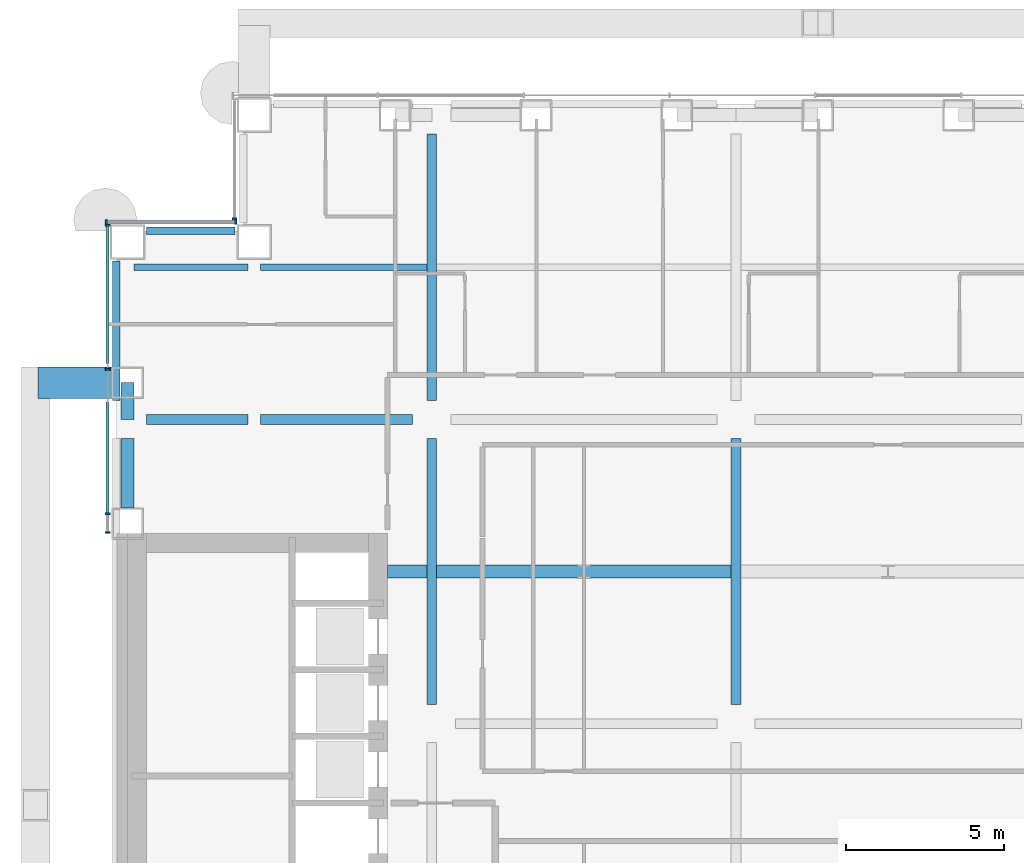
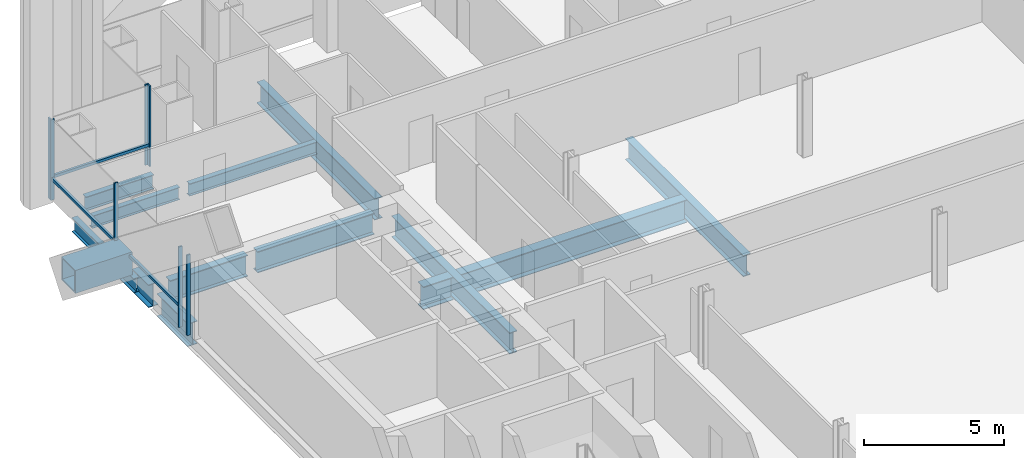
# One storey, part 9 of 28: 14 beams, 10 members, 3 elements without a shape of their own.
"""IFC4 building model written with IfcOpenShell, lengths in metres."""

from ifc_helpers import new_model, si_unit, direction, frame, origin, origin_2d, place, context, subcontext, project, spatial, rectangle, hollow_rectangle, i_section, extrude, material, material_profile, profile_set, type_object, element, aggregate, save


model = new_model("IFC4")

# Units and contexts
model_context = context("Model", 3, precision=1e-05, world=origin(), true_north=direction((0.0, 1.0)))
body_context = subcontext(model_context, "Body", "Model", "MODEL_VIEW")
ifc_project = project(units=[si_unit("LENGTHUNIT", "METRE"), si_unit("AREAUNIT", "SQUARE_METRE"), si_unit("VOLUMEUNIT", "CUBIC_METRE"), si_unit("PLANEANGLEUNIT", "RADIAN"), si_unit("MASSUNIT", "GRAM", prefix="KILO")], contexts=[model_context])

# Site, building, storey
site_placement = place(None, origin())
site = spatial("IfcSite", under=ifc_project, at=site_placement, CompositionType="ELEMENT")
building_placement = place(site_placement, origin())
building = spatial("IfcBuilding", under=site, at=building_placement, Name="Cobrizo Arcos Hotel Tower", CompositionType="ELEMENT")
storey_placement = place(building_placement, frame((0.0, 0.0, 39.0)))
storey = spatial("IfcBuildingStorey", under=building, at=storey_placement, Name="L07", CompositionType="ELEMENT", Elevation=39.0)

# Beam
ifc_material_1 = material(Name="Steel ASTM A572 Grade 50", Category="steel")
ifc_material_profile_1 = material_profile(ifc_material_1, hollow_rectangle(XDim=1.0, YDim=1.0, WallThickness=0.06005859375, at=origin_2d()), Name="BOX 1000X1000X60")
ifc_profile_set_1 = profile_set([ifc_material_profile_1], Name="Steel ASTM A572 Grade 50")
beam_type_1 = type_object("IfcBeamType", Name="BOX 1000X1000X60 brace connector strut", PredefinedType="BEAM", material=ifc_profile_set_1)
beam_1_placement = place(storey_placement, frame((-24.489990234375, 15.5556640625, 0.5), z_axis=(-1.0, 0.0, 0.0), x_axis=(0.0, -1.0, 0.0)))
element("IfcBeam", 1, at=beam_1_placement, inside=storey, type_object=beam_type_1, Name="Perimeter brace stub BS1, zone Z1, west face, offset +15.56 m, L07", PredefinedType="BEAM", context=body_context, shape_type="SweptSolid", body=[
    extrude(hollow_rectangle(XDim=1.0, YDim=1.0, WallThickness=0.06005859375, at=origin_2d()), origin(), (0.0, 0.0, 1.0), 2.330078125),
])

# Curtain wall, member
ifc_material_2 = material(Name="Aluminium 6063-T6 anodised bronze", Category="aluminium")
curtain_wall_type = type_object("IfcCurtainWallType", Name="CW-A guest facade", PredefinedType="NOTDEFINED", material=ifc_material_2)
curtain_wall_1_placement = place(storey_placement, origin())
curtain_wall_1 = element("IfcCurtainWall", 2, at=curtain_wall_1_placement, inside=storey, type_object=curtain_wall_type, Name="CW-A L07 W face", PredefinedType="NOTDEFINED")
ifc_material_profile_2 = material_profile(ifc_material_2, rectangle(XDim=0.14990234375, YDim=0.06005859375, at=origin_2d()), Name="CW-A mullion 150x60")
ifc_profile_set_2 = profile_set([ifc_material_profile_2], Name="Aluminium 6063-T6 anodised bronze")
member_type_1 = type_object("IfcMemberType", Name="CW-A mullion 150x60", PredefinedType="MULLION", material=ifc_profile_set_2)
member_1_placement = place(storey_placement, frame((-20.625, 20.72998046875, 0.0), z_axis=(0.0, 0.0, 1.0), x_axis=(-1.0, 0.0, 0.0)))
member_1 = element("IfcMember", 3, at=member_1_placement, type_object=member_type_1, Name="CW-A mullion 2", PredefinedType="MULLION", context=body_context, shape_type="SweptSolid", body=[
    extrude(rectangle(XDim=0.14990234375, YDim=0.06005859375, at=origin_2d()), origin(), (0.0, 0.0, 1.0), 3.5),
])
aggregate(curtain_wall_1, [member_1])

# Curtain wall, members
curtain_wall_2_placement = place(storey_placement, origin())
curtain_wall_2 = element("IfcCurtainWall", 4, at=curtain_wall_2_placement, inside=storey, type_object=curtain_wall_type, Name="CW-A L07 N face", PredefinedType="NOTDEFINED")
member_2_placement = place(storey_placement, frame((-20.580078125, 20.625, 0.0), z_axis=(0.0, 0.0, 1.0), x_axis=(0.0, 1.0, 0.0)))
member_2 = element("IfcMember", 5, at=member_2_placement, type_object=member_type_1, Name="CW-A mullion 1", PredefinedType="MULLION", context=body_context, shape_type="SweptSolid", body=[
    extrude(rectangle(XDim=0.14990234375, YDim=0.06005859375, at=origin_2d()), origin(), (0.0, 0.0, 1.0), 3.5),
])
member_3_placement = place(storey_placement, frame((-24.669921875, 20.625, 0.0), z_axis=(0.0, 0.0, 1.0), x_axis=(0.0, 1.0, 0.0)))
member_3 = element("IfcMember", 6, at=member_3_placement, type_object=member_type_1, Name="CW-A mullion 2", PredefinedType="MULLION", context=body_context, shape_type="SweptSolid", body=[
    extrude(rectangle(XDim=0.14990234375, YDim=0.06005859375, at=origin_2d()), origin(), (0.0, 0.0, 1.0), 3.5),
])

curtain_wall_3_placement = place(storey_placement, origin())
curtain_wall_3 = element("IfcCurtainWall", 7, at=curtain_wall_3_placement, inside=storey, type_object=curtain_wall_type, Name="CW-A L07 W face", PredefinedType="NOTDEFINED")
member_4_placement = place(storey_placement, frame((-24.625, 20.52001953125, 0.0), z_axis=(0.0, 0.0, 1.0), x_axis=(-1.0, 0.0, 0.0)))
member_4 = element("IfcMember", 8, at=member_4_placement, type_object=member_type_1, Name="CW-A mullion 1", PredefinedType="MULLION", context=body_context, shape_type="SweptSolid", body=[
    extrude(rectangle(XDim=0.14990234375, YDim=0.06005859375, at=origin_2d()), origin(), (0.0, 0.0, 1.0), 3.5),
])
member_5_placement = place(storey_placement, frame((-24.625, 15.9833984375, 0.0), z_axis=(0.0, 0.0, 1.0), x_axis=(-1.0, 0.0, 0.0)))
member_5 = element("IfcMember", 9, at=member_5_placement, type_object=member_type_1, Name="CW-A mullion 2", PredefinedType="MULLION", context=body_context, shape_type="SweptSolid", body=[
    extrude(rectangle(XDim=0.14990234375, YDim=0.06005859375, at=origin_2d()), origin(), (0.0, 0.0, 1.0), 3.5),
])
member_6_placement = place(storey_placement, frame((-24.625, 11.416748046875, 0.0), z_axis=(0.0, 0.0, 1.0), x_axis=(-1.0, 0.0, 0.0)))
member_6 = element("IfcMember", 10, at=member_6_placement, type_object=member_type_1, Name="CW-A mullion 3", PredefinedType="MULLION", context=body_context, shape_type="SweptSolid", body=[
    extrude(rectangle(XDim=0.14990234375, YDim=0.06005859375, at=origin_2d()), origin(), (0.0, 0.0, 1.0), 3.5),
])
member_7_placement = place(storey_placement, frame((-24.625, 10.830078125, 0.0), z_axis=(0.0, 0.0, 1.0), x_axis=(-1.0, 0.0, 0.0)))
member_7 = element("IfcMember", 11, at=member_7_placement, type_object=member_type_1, Name="CW-A mullion 4", PredefinedType="MULLION", context=body_context, shape_type="SweptSolid", body=[
    extrude(rectangle(XDim=0.14990234375, YDim=0.06005859375, at=origin_2d()), origin(), (0.0, 0.0, 1.0), 3.5),
])

# Member
ifc_material_profile_3 = material_profile(ifc_material_2, rectangle(XDim=0.10009765625, YDim=0.1201171875, at=origin_2d()), Name="CW-A transom 120x100")
ifc_profile_set_3 = profile_set([ifc_material_profile_3], Name="Aluminium 6063-T6 anodised bronze")
member_type_2 = type_object("IfcMemberType", Name="CW-A transom 120x100", PredefinedType="USERDEFINED", material=ifc_profile_set_3)
member_8_placement = place(storey_placement, frame((-20.610107421875, 20.625, 0.929931640625), z_axis=(-1.0, 0.0, 0.0), x_axis=(0.0, -1.0, 0.0)))
member_8 = element("IfcMember", 12, at=member_8_placement, type_object=member_type_2, Name="CW-A transom 390", ObjectType="TRANSOM", PredefinedType="USERDEFINED", context=body_context, shape_type="SweptSolid", body=[
    extrude(rectangle(XDim=0.10009765625, YDim=0.1201171875, at=origin_2d()), origin(), (0.0, 0.0, 1.0), 4.02978515625),
])

aggregate(curtain_wall_2, [member_2, member_3, member_8])

member_9_placement = place(storey_placement, frame((-24.625, 20.489990234375, 0.929931640625), z_axis=(0.0, -1.0, 0.0), x_axis=(1.0, 0.0, 0.0)))
member_9 = element("IfcMember", 13, at=member_9_placement, type_object=member_type_2, Name="CW-A transom 391", ObjectType="TRANSOM", PredefinedType="USERDEFINED", context=body_context, shape_type="SweptSolid", body=[
    extrude(rectangle(XDim=0.10009765625, YDim=0.1201171875, at=origin_2d()), origin(), (0.0, 0.0, 1.0), 4.33447265625),
])

member_10_placement = place(storey_placement, frame((-24.625, 14.95556640625, 0.929931640625), z_axis=(0.0, -1.0, 0.0), x_axis=(1.0, 0.0, 0.0)))
member_10 = element("IfcMember", 14, at=member_10_placement, type_object=member_type_2, Name="CW-A transom 392", ObjectType="TRANSOM", PredefinedType="USERDEFINED", context=body_context, shape_type="SweptSolid", body=[
    extrude(rectangle(XDim=0.10009765625, YDim=0.1201171875, at=origin_2d()), origin(), (0.0, 0.0, 1.0), 3.5087890625),
])

aggregate(curtain_wall_3, [member_4, member_5, member_6, member_7, member_9, member_10])

# Beams
ifc_material_3 = material(Name="Steel ASTM A992 Grade 50", Category="steel")
ifc_material_profile_4 = material_profile(ifc_material_3, i_section(OverallWidth=0.209228515625, OverallDepth=0.533447265625, WebThickness=0.01025390625, FlangeThickness=0.015625, at=origin_2d()), Name="W21X62")
ifc_profile_set_4 = profile_set([ifc_material_profile_4], Name="Steel ASTM A992 Grade 50")
beam_type_2 = type_object("IfcBeamType", Name="W21X62 joist", PredefinedType="JOIST", material=ifc_profile_set_4)
beam_2_placement = place(storey_placement, frame((-23.799560546875, 19.199951171875, -0.416748046875), z_axis=(1.0, 0.0, 0.0), x_axis=(0.0, 1.0, 0.0)))
element("IfcBeam", 15, at=beam_2_placement, inside=storey, type_object=beam_type_2, Name="Floor joist J1, L07, no. 008", PredefinedType="JOIST", context=body_context, shape_type="SweptSolid", body=[
    extrude(i_section(OverallWidth=0.209228515625, OverallDepth=0.533447265625, WebThickness=0.01025390625, FlangeThickness=0.015625, at=origin_2d()), origin(), (0.0, 0.0, 1.0), 3.59912109375),
])
beam_3_placement = place(storey_placement, frame((-19.799560546875, 19.199951171875, -0.416748046875), z_axis=(1.0, 0.0, 0.0), x_axis=(0.0, 1.0, 0.0)))
element("IfcBeam", 16, at=beam_3_placement, inside=storey, type_object=beam_type_2, Name="Floor joist J1, L07, no. 009", PredefinedType="JOIST", context=body_context, shape_type="SweptSolid", body=[
    extrude(i_section(OverallWidth=0.209228515625, OverallDepth=0.533447265625, WebThickness=0.01025390625, FlangeThickness=0.015625, at=origin_2d()), origin(), (0.0, 0.0, 1.0), 5.245849609375),
])
ifc_material_profile_5 = material_profile(ifc_material_3, i_section(OverallWidth=0.23046875, OverallDepth=0.6171875, WebThickness=0.01318359375, FlangeThickness=0.022216796875, at=origin_2d()), Name="W24X94")
ifc_profile_set_5 = profile_set([ifc_material_profile_5], Name="Steel ASTM A992 Grade 50")
beam_type_3 = type_object("IfcBeamType", Name="W24X94 spandrel", PredefinedType="SPANDREL", material=ifc_profile_set_5)
beam_4_placement = place(storey_placement, frame((-24.35009765625, 15.0, -0.45849609375), z_axis=(0.0, 1.0, 0.0), x_axis=(-1.0, 0.0, 0.0)))
element("IfcBeam", 17, at=beam_4_placement, inside=storey, type_object=beam_type_3, Name="Spandrel beam W24X94, L07, no. 003", PredefinedType="SPANDREL", context=body_context, shape_type="SweptSolid", body=[
    extrude(i_section(OverallWidth=0.23046875, OverallDepth=0.6171875, WebThickness=0.01318359375, FlangeThickness=0.022216796875, at=origin_2d()), origin(), (0.0, 0.0, 1.0), 4.39990234375),
])
beam_5_placement = place(storey_placement, frame((-23.39990234375, 20.35009765625, -0.45849609375), z_axis=(1.0, 0.0, 0.0), x_axis=(0.0, 1.0, 0.0)))
element("IfcBeam", 18, at=beam_5_placement, inside=storey, type_object=beam_type_3, Name="Spandrel beam W24X94, L07, no. 004", PredefinedType="SPANDREL", context=body_context, shape_type="SweptSolid", body=[
    extrude(i_section(OverallWidth=0.23046875, OverallDepth=0.6171875, WebThickness=0.01318359375, FlangeThickness=0.022216796875, at=origin_2d()), origin(), (0.0, 0.0, 1.0), 2.7998046875),
])
ifc_material_profile_6 = material_profile(ifc_material_3, i_section(OverallWidth=0.307373046875, OverallDepth=0.927001953125, WebThickness=0.01953125, FlangeThickness=0.031982421875, at=origin_2d()), Name="W36X194")
ifc_profile_set_6 = profile_set([ifc_material_profile_6], Name="Steel ASTM A992 Grade 50")
beam_type_4 = type_object("IfcBeamType", Name="W36X194 podium girder", PredefinedType="BEAM", material=ifc_profile_set_6)
beam_6_placement = place(storey_placement, frame((-23.39990234375, 14.39990234375, -0.613525390625), z_axis=(1.0, 0.0, 0.0), x_axis=(0.0, 1.0, 0.0)))
element("IfcBeam", 19, at=beam_6_placement, inside=storey, type_object=beam_type_4, Name="Podium girder PG1, L07, no. 016", PredefinedType="BEAM", context=body_context, shape_type="SweptSolid", body=[
    extrude(i_section(OverallWidth=0.307373046875, OverallDepth=0.927001953125, WebThickness=0.01953125, FlangeThickness=0.031982421875, at=origin_2d()), origin(), (0.0, 0.0, 1.0), 3.199462890625),
])
beam_7_placement = place(storey_placement, frame((-19.799560546875, 14.39990234375, -0.613525390625), z_axis=(1.0, 0.0, 0.0), x_axis=(0.0, 1.0, 0.0)))
element("IfcBeam", 20, at=beam_7_placement, inside=storey, type_object=beam_type_4, Name="Podium girder PG1, L07, no. 017", PredefinedType="BEAM", context=body_context, shape_type="SweptSolid", body=[
    extrude(i_section(OverallWidth=0.307373046875, OverallDepth=0.927001953125, WebThickness=0.01953125, FlangeThickness=0.031982421875, at=origin_2d()), origin(), (0.0, 0.0, 1.0), 4.799560546875),
])
beam_8_placement = place(storey_placement, frame((-14.39990234375, 5.39990234375, -0.613525390625), z_axis=(0.0, 1.0, 0.0), x_axis=(-1.0, 0.0, 0.0)))
element("IfcBeam", 21, at=beam_8_placement, inside=storey, type_object=beam_type_4, Name="Podium girder PG1, L07, no. 026", PredefinedType="BEAM", context=body_context, shape_type="SweptSolid", body=[
    extrude(i_section(OverallWidth=0.307373046875, OverallDepth=0.927001953125, WebThickness=0.01953125, FlangeThickness=0.031982421875, at=origin_2d()), origin(), (0.0, 0.0, 1.0), 8.400146484375),
])
beam_9_placement = place(storey_placement, frame((-14.39990234375, 15.0, -0.613525390625), z_axis=(0.0, 1.0, 0.0), x_axis=(-1.0, 0.0, 0.0)))
element("IfcBeam", 22, at=beam_9_placement, inside=storey, type_object=beam_type_4, Name="Podium girder PG1, L07, no. 027", PredefinedType="BEAM", context=body_context, shape_type="SweptSolid", body=[
    extrude(i_section(OverallWidth=0.307373046875, OverallDepth=0.927001953125, WebThickness=0.01953125, FlangeThickness=0.031982421875, at=origin_2d()), origin(), (0.0, 0.0, 1.0), 8.39990234375),
])
beam_10_placement = place(storey_placement, frame((-4.800048828125, 5.39990234375, -0.613525390625), z_axis=(0.0, 1.0, 0.0), x_axis=(-1.0, 0.0, 0.0)))
element("IfcBeam", 23, at=beam_10_placement, inside=storey, type_object=beam_type_4, Name="Podium girder PG1, L07, no. 031", PredefinedType="BEAM", context=body_context, shape_type="SweptSolid", body=[
    extrude(i_section(OverallWidth=0.307373046875, OverallDepth=0.927001953125, WebThickness=0.01953125, FlangeThickness=0.031982421875, at=origin_2d()), origin(), (0.0, 0.0, 1.0), 8.400146484375),
])
ifc_material_profile_7 = material_profile(ifc_material_3, i_section(OverallWidth=0.4013671875, OverallDepth=0.990478515625, WebThickness=0.0166015625, FlangeThickness=0.025390625, at=origin_2d()), Name="W40X215")
ifc_profile_set_7 = profile_set([ifc_material_profile_7], Name="Steel ASTM A992 Grade 50")
beam_type_5 = type_object("IfcBeamType", Name="W40X215 transfer girder", PredefinedType="BEAM", material=ifc_profile_set_7)
beam_11_placement = place(storey_placement, frame((-15.7900390625, 9.60009765625, -0.645263671875), z_axis=(1.0, 0.0, 0.0), x_axis=(0.0, 1.0, 0.0)))
element("IfcBeam", 24, at=beam_11_placement, inside=storey, type_object=beam_type_5, Name="Transfer girder TG1, L07, no. 011", PredefinedType="BEAM", context=body_context, shape_type="SweptSolid", body=[
    extrude(i_section(OverallWidth=0.4013671875, OverallDepth=0.990478515625, WebThickness=0.0166015625, FlangeThickness=0.025390625, at=origin_2d()), origin(), (0.0, 0.0, 1.0), 1.236328125),
])
beam_12_placement = place(storey_placement, frame((-14.246337890625, 9.60009765625, -0.645263671875), z_axis=(1.0, 0.0, 0.0), x_axis=(0.0, 1.0, 0.0)))
element("IfcBeam", 25, at=beam_12_placement, inside=storey, type_object=beam_type_5, Name="Transfer girder TG1, L07, no. 012", PredefinedType="BEAM", context=body_context, shape_type="SweptSolid", body=[
    extrude(i_section(OverallWidth=0.4013671875, OverallDepth=0.990478515625, WebThickness=0.0166015625, FlangeThickness=0.025390625, at=origin_2d()), origin(), (0.0, 0.0, 1.0), 9.292724609375),
])
beam_13_placement = place(storey_placement, frame((-24.0, 13.800048828125, -0.645263671875), z_axis=(0.0, -1.0, 0.0), x_axis=(1.0, 0.0, 0.0)))
element("IfcBeam", 26, at=beam_13_placement, inside=storey, type_object=beam_type_5, Name="Setback transfer girder TG1, L07, no. 022", PredefinedType="BEAM", context=body_context, shape_type="SweptSolid", body=[
    extrude(i_section(OverallWidth=0.4013671875, OverallDepth=0.990478515625, WebThickness=0.0166015625, FlangeThickness=0.025390625, at=origin_2d()), origin(), (0.0, 0.0, 1.0), 2.18896484375),
])
beam_14_placement = place(storey_placement, frame((-24.0, 14.39990234375, -0.645263671875), z_axis=(0.0, 1.0, 0.0), x_axis=(-1.0, 0.0, 0.0)))
element("IfcBeam", 27, at=beam_14_placement, inside=storey, type_object=beam_type_5, Name="Setback transfer girder TG1, L07, no. 024", PredefinedType="BEAM", context=body_context, shape_type="SweptSolid", body=[
    extrude(i_section(OverallWidth=0.4013671875, OverallDepth=0.990478515625, WebThickness=0.0166015625, FlangeThickness=0.025390625, at=origin_2d()), origin(), (0.0, 0.0, 1.0), 1.156005859375),
])

save(model, "model.ifc")
